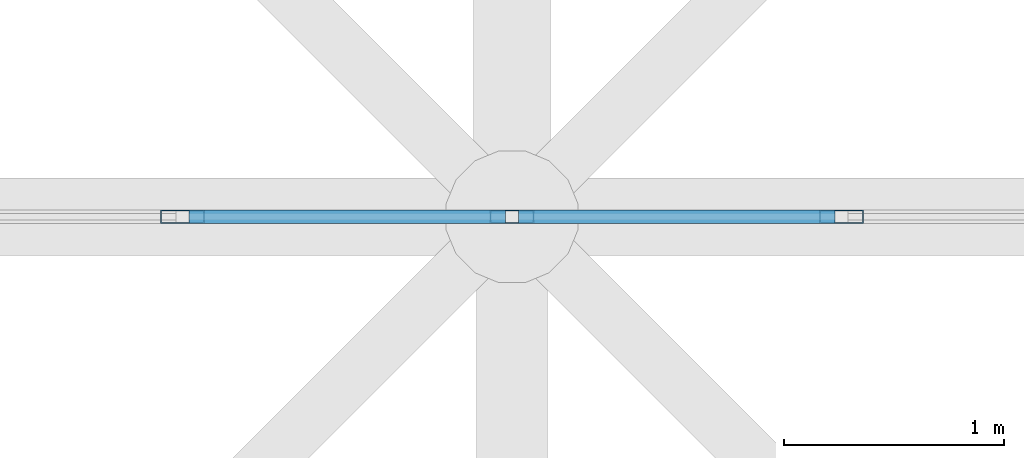
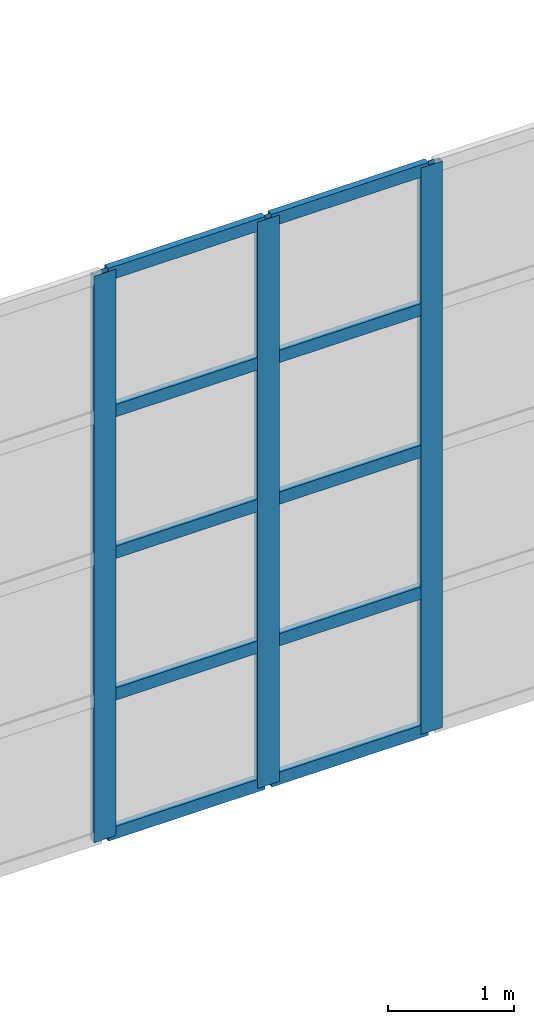
# One storey, part 172 of 437: 13 members, 1 element without a shape of its own.
"""IFC4 building model written with IfcOpenShell, lengths in metres."""

import ifcopenshell
import ifcopenshell.guid

model = None  # the IFC model being written
_history = None  # IfcOwnerHistory: only IFC2X3 demands one
_inside = {}  # id of a spatial element -> (the spatial element, [elements in it])
_under = {}  # id of a project, library or spatial element -> (it, [spatial elements below it])
_declared = {}  # id of a project -> (the project, [libraries it declares])
_typed = {}  # id of a type object -> (the type object, [elements of that type])
_made_of = {}  # id of a material, layer set ... -> (it, [elements and type objects made of it])


def new_model(schema):
    """Start an empty IFC model of exactly this schema.

    Asked for "IFC4X3", IfcOpenShell would pick the latest addendum, in which some entities
    have other attributes; the version numbers below select the first issue.
    IFC2X3 requires an IfcOwnerHistory on every rooted entity: one is made here for all.
    """
    global model, _history
    if schema == "IFC4X3":
        model = ifcopenshell.file(schema_version=(4, 3, 0, 0))
    else:
        model = ifcopenshell.file(schema=schema)
    _inside.clear()
    _under.clear()
    _declared.clear()
    _typed.clear()
    _made_of.clear()
    _history = None
    if model.schema == "IFC2X3":
        org = make("IfcOrganization", Name="unknown")
        user = make(
            "IfcPersonAndOrganization",
            ThePerson=make("IfcPerson", FamilyName="unknown"),
            TheOrganization=org,
        )
        app = make(
            "IfcApplication",
            ApplicationDeveloper=org,
            Version="unknown",
            ApplicationFullName="unknown",
            ApplicationIdentifier="unknown",
        )
        _history = make(
            "IfcOwnerHistory",
            OwningUser=user,
            OwningApplication=app,
            ChangeAction="ADDED",
            CreationDate=0,
        )
    return model


def make(cls, **values):
    """One entity of the class cls with the attributes given. An attribute that is None is left unset."""
    return model.create_entity(
        cls, **{name: value for name, value in values.items() if value is not None}
    )


def rooted(cls, **values):
    """An entity with a GlobalId (a new one), such as an element, a storey or a relation."""
    return make(cls, GlobalId=ifcopenshell.guid.new(), OwnerHistory=_history, **values)


def si_unit(unit_type, name, prefix=None):
    """IfcSIUnit, for example si_unit("LENGTHUNIT", "METRE", prefix="MILLI")."""
    return make("IfcSIUnit", UnitType=unit_type, Prefix=prefix, Name=name)


def assignment(units):
    """IfcUnitAssignment: the units of a project."""
    return None if units is None else make("IfcUnitAssignment", Units=units)


def point(xyz):
    """IfcCartesianPoint."""
    return None if xyz is None else make("IfcCartesianPoint", Coordinates=xyz)


def direction(xyz):
    """IfcDirection."""
    return None if xyz is None else make("IfcDirection", DirectionRatios=xyz)


def frame(location, z_axis=None, x_axis=None):
    """IfcAxis2Placement3D, a coordinate frame: its origin and axes. An axis left out is left unset."""
    return make(
        "IfcAxis2Placement3D",
        Location=point(location),
        Axis=direction(z_axis),
        RefDirection=direction(x_axis),
    )


def frame_2d(location, x_axis=None):
    """IfcAxis2Placement2D, a coordinate frame in the plane: its origin and x axis."""
    return make(
        "IfcAxis2Placement2D", Location=point(location), RefDirection=direction(x_axis)
    )


def origin():
    """The frame at (0, 0, 0) with its axes left unset."""
    return frame((0.0, 0.0, 0.0))


def origin_2d():
    """The frame at (0, 0) in the plane with its x axis left unset."""
    return frame_2d((0.0, 0.0))


def place(relative_to, where):
    """IfcLocalPlacement: puts the frame where relative to a parent placement (None: the world)."""
    return make(
        "IfcLocalPlacement", PlacementRelTo=relative_to, RelativePlacement=where
    )


def context(
    kind, dimensions, precision=None, world=None, true_north=None, identifier=None
):
    """IfcGeometricRepresentationContext, for example the 3D "Model" context."""
    return make(
        "IfcGeometricRepresentationContext",
        ContextIdentifier=identifier,
        ContextType=kind,
        CoordinateSpaceDimension=dimensions,
        Precision=precision,
        WorldCoordinateSystem=world,
        TrueNorth=true_north,
    )


def subcontext(parent, identifier, kind, view, scale=None):
    """IfcGeometricRepresentationSubContext, for example "Body" below "Model"."""
    return make(
        "IfcGeometricRepresentationSubContext",
        ContextIdentifier=identifier,
        ContextType=kind,
        ParentContext=parent,
        TargetScale=scale,
        TargetView=view,
    )


def project(units=None, contexts=None):
    """IfcProject with its units and contexts."""
    return rooted(
        "IfcProject",
        Name="project",
        RepresentationContexts=contexts,
        UnitsInContext=assignment(units),
    )


def spatial(cls, under=None, at=None, **own):
    """A site, building, storey or space (cls), placed at a placement, below another one or the project."""
    s = rooted(cls, ObjectPlacement=at, **own)
    if under is not None:
        _under.setdefault(under.id(), (under, []))[1].append(s)
    return s


def profile(cls, at=None, kind="AREA", **sizes):
    """A parametric profile (cls). Its sizes go by their IFC names, for example OverallWidth=200.0."""
    return make(cls, ProfileType=kind, Position=at, **sizes)


def hollow_rectangle(**sizes):
    """IfcRectangleHollowProfileDef."""
    return profile("IfcRectangleHollowProfileDef", **sizes)


def extrude(swept, where, along, depth):
    """IfcExtrudedAreaSolid: the profile swept, set in the frame where, extruded along a direction by depth."""
    return make(
        "IfcExtrudedAreaSolid",
        SweptArea=swept,
        Position=where,
        ExtrudedDirection=direction(along),
        Depth=depth,
    )


def shape(context_of_items, identifier, shape_type, items):
    """IfcShapeRepresentation: the items that make up one representation, for example the "Body"."""
    return make(
        "IfcShapeRepresentation",
        ContextOfItems=context_of_items,
        RepresentationIdentifier=identifier,
        RepresentationType=shape_type,
        Items=items,
    )


def material(Name=None, Category=None):
    """IfcMaterial."""
    return make("IfcMaterial", Name=Name, Category=Category)


def layer(
    of_material, thickness, ventilated=None, Name=None, Category=None, Priority=None
):
    """IfcMaterialLayer: one layer of a wall or slab, of a material (None: an air gap)."""
    return make(
        "IfcMaterialLayer",
        Material=of_material,
        LayerThickness=thickness,
        IsVentilated=ventilated,
        Name=Name,
        Category=Category,
        Priority=Priority,
    )


def layer_set(layers, Name=None):
    """IfcMaterialLayerSet."""
    return make("IfcMaterialLayerSet", MaterialLayers=layers, LayerSetName=Name)


def material_profile(
    of_material, cross_section, Name=None, Category=None, Priority=None
):
    """IfcMaterialProfile: a cross section and its material."""
    return make(
        "IfcMaterialProfile",
        Name=Name,
        Material=of_material,
        Profile=cross_section,
        Priority=Priority,
        Category=Category,
    )


def profile_set(profiles, Name=None, composite=None):
    """IfcMaterialProfileSet."""
    return make(
        "IfcMaterialProfileSet",
        Name=Name,
        MaterialProfiles=profiles,
        CompositeProfile=composite,
    )


def made_of(thing, what):
    """Note that an element or type object is made of a material, layer set ...; save() writes the relation."""
    if what is not None:
        _made_of.setdefault(what.id(), (what, []))[1].append(thing)
    return thing


def type_object(cls, material=None, **own):
    """A type object (cls), such as IfcWallType, which elements share."""
    return made_of(rooted(cls, **own), material)


def element(
    cls,
    number,
    at=None,
    inside=None,
    cuts=None,
    type_object=None,
    material=None,
    context=None,
    identifier="Body",
    shape_type=None,
    held_by="IfcProductDefinitionShape",
    body=None,
    shapes=None,
    **own,
):
    """One element of the class cls, such as IfcWall. Its Tag is "e" and its number.

    at: its placement. inside: the storey or other place that contains it. cuts: it is an
    opening in that element (IfcRelVoidsElement). A single representation is given by context,
    identifier, shape_type and body (its items); several are given by shapes. held_by: the class
    of the entity that holds the representations. save() writes the other relations.
    """
    e = rooted(cls, Tag="e%d" % number, ObjectPlacement=at, **own)
    if body is not None:
        shapes = [shape(context, identifier, shape_type, body)]
    if shapes is not None:
        e.Representation = make(held_by, Representations=shapes)
    if inside is not None:
        _inside.setdefault(inside.id(), (inside, []))[1].append(e)
    if cuts is not None:
        rooted(
            "IfcRelVoidsElement", RelatingBuildingElement=cuts, RelatedOpeningElement=e
        )
    if type_object is not None:
        _typed.setdefault(type_object.id(), (type_object, []))[1].append(e)
    return made_of(e, material)


def aggregate(whole, parts):
    """IfcRelAggregates: a whole, such as a stair, and the parts it consists of."""
    return rooted("IfcRelAggregates", RelatingObject=whole, RelatedObjects=parts)


def save(model, path):
    """Write the relations noted so far, then the file.

    IfcRelAggregates (storeys below a building ...), IfcRelContainedInSpatialStructure (elements
    in a storey), IfcRelDefinesByType, IfcRelAssociatesMaterial and IfcRelDeclares: one each for
    every whole, place, type object, material and project.
    """
    for whole, parts in _under.values():
        aggregate(whole, parts)
    for where, things in _inside.values():
        rooted(
            "IfcRelContainedInSpatialStructure",
            RelatedElements=things,
            RelatingStructure=where,
        )
    for kind, things in _typed.values():
        rooted("IfcRelDefinesByType", RelatedObjects=things, RelatingType=kind)
    for what, things in _made_of.values():
        rooted("IfcRelAssociatesMaterial", RelatedObjects=things, RelatingMaterial=what)
    for by, libraries in _declared.values():
        rooted("IfcRelDeclares", RelatingContext=by, RelatedDefinitions=libraries)
    model.write(path)


model = new_model("IFC4")

# Units and contexts
model_context = context("Model", 3, precision=1e-05, world=origin(), true_north=direction((0.0, 1.0)))
body_context = subcontext(model_context, "Body", "Model", "MODEL_VIEW")
ifc_project = project(units=[si_unit("LENGTHUNIT", "METRE"), si_unit("AREAUNIT", "SQUARE_METRE"), si_unit("VOLUMEUNIT", "CUBIC_METRE"), si_unit("PLANEANGLEUNIT", "RADIAN"), si_unit("MASSUNIT", "GRAM", prefix="KILO")], contexts=[model_context])

# Site, building, storey
site_placement = place(None, origin())
site = spatial("IfcSite", under=ifc_project, at=site_placement, CompositionType="ELEMENT")
building_placement = place(site_placement, origin())
building = spatial("IfcBuilding", under=site, at=building_placement, Name="Opaline Strait Convention Centre", CompositionType="ELEMENT")
storey_placement = place(building_placement, frame((0.0, 0.0, 11.5)))
storey = spatial("IfcBuildingStorey", under=building, at=storey_placement, Name="L02", CompositionType="ELEMENT", Elevation=11.5)

# Curtain wall, members
ifc_material_1 = material(Name="Aluminium framed glazing", Category="aluminium")
ifc_layer = layer(ifc_material_1, 0.199951171875)
ifc_layer_set = layer_set([ifc_layer], Name="Aluminium framed glazing")
curtain_wall_type = type_object("IfcCurtainWallType", Name="Entrance curtain wall 1500", PredefinedType="NOTDEFINED", material=ifc_layer_set)
curtain_wall_placement = place(storey_placement, origin())
curtain_wall = element("IfcCurtainWall", 1, at=curtain_wall_placement, inside=storey, type_object=curtain_wall_type, Name="Entrance curtain wall L02-R2", PredefinedType="NOTDEFINED")
ifc_material_2 = material(Name="Aluminium alloy 6063", Category="aluminium")
ifc_material_profile_1 = material_profile(ifc_material_2, hollow_rectangle(XDim=0.06005859375, YDim=0.199951171875, WallThickness=0.00390625, at=origin_2d()), Name="MULLION 60x200x4")
ifc_profile_set_1 = profile_set([ifc_material_profile_1], Name="Aluminium alloy 6063")
member_type_1 = type_object("IfcMemberType", Name="Curtain wall mullion 60 x 200", PredefinedType="MULLION", material=ifc_profile_set_1)
member_1_placement = place(storey_placement, frame((178.5, 144.0, 0.0), z_axis=(0.0, 0.0, 1.0), x_axis=(0.0, 1.0, 0.0)))
member_1 = element("IfcMember", 2, at=member_1_placement, type_object=member_type_1, Name="XCW mullion 6", PredefinedType="MULLION", context=body_context, shape_type="SweptSolid", body=[
    extrude(hollow_rectangle(XDim=0.06005859375, YDim=0.199951171875, WallThickness=0.00390625, at=origin_2d()), origin(), (0.0, 0.0, 1.0), 5.5),
])
member_2_placement = place(storey_placement, frame((180.0, 144.0, 0.0), z_axis=(0.0, 0.0, 1.0), x_axis=(0.0, 1.0, 0.0)))
member_2 = element("IfcMember", 3, at=member_2_placement, type_object=member_type_1, Name="XCW mullion 7", PredefinedType="MULLION", context=body_context, shape_type="SweptSolid", body=[
    extrude(hollow_rectangle(XDim=0.06005859375, YDim=0.199951171875, WallThickness=0.00390625, at=origin_2d()), origin(), (0.0, 0.0, 1.0), 5.5),
])
member_3_placement = place(storey_placement, frame((181.5, 144.0, 0.0), z_axis=(0.0, 0.0, 1.0), x_axis=(0.0, 1.0, 0.0)))
member_3 = element("IfcMember", 4, at=member_3_placement, type_object=member_type_1, Name="XCW mullion 8", PredefinedType="MULLION", context=body_context, shape_type="SweptSolid", body=[
    extrude(hollow_rectangle(XDim=0.06005859375, YDim=0.199951171875, WallThickness=0.00390625, at=origin_2d()), origin(), (0.0, 0.0, 1.0), 5.5),
])
ifc_material_profile_2 = material_profile(ifc_material_2, hollow_rectangle(XDim=0.06005859375, YDim=0.1201171875, WallThickness=0.0029296875, at=origin_2d()), Name="TRANSOM 60x120x3")
ifc_profile_set_2 = profile_set([ifc_material_profile_2], Name="Aluminium alloy 6063")
member_type_2 = type_object("IfcMemberType", Name="Curtain wall transom 60 x 120", PredefinedType="USERDEFINED", material=ifc_profile_set_2)
member_4_placement = place(storey_placement, frame((178.530029296875, 144.0, 0.030029296875), z_axis=(1.0, 0.0, 0.0), x_axis=(0.0, 1.0, 0.0)))
member_4 = element("IfcMember", 5, at=member_4_placement, type_object=member_type_2, Name="XCW transom 6.1", ObjectType="TRANSOM", PredefinedType="USERDEFINED", context=body_context, shape_type="SweptSolid", body=[
    extrude(hollow_rectangle(XDim=0.06005859375, YDim=0.1201171875, WallThickness=0.0029296875, at=origin_2d()), origin(), (0.0, 0.0, 1.0), 1.43994140625),
])
member_5_placement = place(storey_placement, frame((178.530029296875, 144.0, 1.375), z_axis=(1.0, 0.0, 0.0), x_axis=(0.0, 1.0, 0.0)))
member_5 = element("IfcMember", 6, at=member_5_placement, type_object=member_type_2, Name="XCW transom 6.2", ObjectType="TRANSOM", PredefinedType="USERDEFINED", context=body_context, shape_type="SweptSolid", body=[
    extrude(hollow_rectangle(XDim=0.06005859375, YDim=0.1201171875, WallThickness=0.0029296875, at=origin_2d()), origin(), (0.0, 0.0, 1.0), 1.43994140625),
])
member_6_placement = place(storey_placement, frame((178.530029296875, 144.0, 2.75), z_axis=(1.0, 0.0, 0.0), x_axis=(0.0, 1.0, 0.0)))
member_6 = element("IfcMember", 7, at=member_6_placement, type_object=member_type_2, Name="XCW transom 6.3", ObjectType="TRANSOM", PredefinedType="USERDEFINED", context=body_context, shape_type="SweptSolid", body=[
    extrude(hollow_rectangle(XDim=0.06005859375, YDim=0.1201171875, WallThickness=0.0029296875, at=origin_2d()), origin(), (0.0, 0.0, 1.0), 1.43994140625),
])
member_7_placement = place(storey_placement, frame((178.530029296875, 144.0, 4.125), z_axis=(1.0, 0.0, 0.0), x_axis=(0.0, 1.0, 0.0)))
member_7 = element("IfcMember", 8, at=member_7_placement, type_object=member_type_2, Name="XCW transom 6.4", ObjectType="TRANSOM", PredefinedType="USERDEFINED", context=body_context, shape_type="SweptSolid", body=[
    extrude(hollow_rectangle(XDim=0.06005859375, YDim=0.1201171875, WallThickness=0.0029296875, at=origin_2d()), origin(), (0.0, 0.0, 1.0), 1.43994140625),
])
member_8_placement = place(storey_placement, frame((178.530029296875, 144.0, 5.469970703125), z_axis=(1.0, 0.0, 0.0), x_axis=(0.0, 1.0, 0.0)))
member_8 = element("IfcMember", 9, at=member_8_placement, type_object=member_type_2, Name="XCW transom 6.5", ObjectType="TRANSOM", PredefinedType="USERDEFINED", context=body_context, shape_type="SweptSolid", body=[
    extrude(hollow_rectangle(XDim=0.06005859375, YDim=0.1201171875, WallThickness=0.0029296875, at=origin_2d()), origin(), (0.0, 0.0, 1.0), 1.43994140625),
])
member_9_placement = place(storey_placement, frame((180.030029296875, 144.0, 0.030029296875), z_axis=(1.0, 0.0, 0.0), x_axis=(0.0, 1.0, 0.0)))
member_9 = element("IfcMember", 10, at=member_9_placement, type_object=member_type_2, Name="XCW transom 7.1", ObjectType="TRANSOM", PredefinedType="USERDEFINED", context=body_context, shape_type="SweptSolid", body=[
    extrude(hollow_rectangle(XDim=0.06005859375, YDim=0.1201171875, WallThickness=0.0029296875, at=origin_2d()), origin(), (0.0, 0.0, 1.0), 1.43994140625),
])
member_10_placement = place(storey_placement, frame((180.030029296875, 144.0, 1.375), z_axis=(1.0, 0.0, 0.0), x_axis=(0.0, 1.0, 0.0)))
member_10 = element("IfcMember", 11, at=member_10_placement, type_object=member_type_2, Name="XCW transom 7.2", ObjectType="TRANSOM", PredefinedType="USERDEFINED", context=body_context, shape_type="SweptSolid", body=[
    extrude(hollow_rectangle(XDim=0.06005859375, YDim=0.1201171875, WallThickness=0.0029296875, at=origin_2d()), origin(), (0.0, 0.0, 1.0), 1.43994140625),
])
member_11_placement = place(storey_placement, frame((180.030029296875, 144.0, 2.75), z_axis=(1.0, 0.0, 0.0), x_axis=(0.0, 1.0, 0.0)))
member_11 = element("IfcMember", 12, at=member_11_placement, type_object=member_type_2, Name="XCW transom 7.3", ObjectType="TRANSOM", PredefinedType="USERDEFINED", context=body_context, shape_type="SweptSolid", body=[
    extrude(hollow_rectangle(XDim=0.06005859375, YDim=0.1201171875, WallThickness=0.0029296875, at=origin_2d()), origin(), (0.0, 0.0, 1.0), 1.43994140625),
])
member_12_placement = place(storey_placement, frame((180.030029296875, 144.0, 4.125), z_axis=(1.0, 0.0, 0.0), x_axis=(0.0, 1.0, 0.0)))
member_12 = element("IfcMember", 13, at=member_12_placement, type_object=member_type_2, Name="XCW transom 7.4", ObjectType="TRANSOM", PredefinedType="USERDEFINED", context=body_context, shape_type="SweptSolid", body=[
    extrude(hollow_rectangle(XDim=0.06005859375, YDim=0.1201171875, WallThickness=0.0029296875, at=origin_2d()), origin(), (0.0, 0.0, 1.0), 1.43994140625),
])
member_13_placement = place(storey_placement, frame((180.030029296875, 144.0, 5.469970703125), z_axis=(1.0, 0.0, 0.0), x_axis=(0.0, 1.0, 0.0)))
member_13 = element("IfcMember", 14, at=member_13_placement, type_object=member_type_2, Name="XCW transom 7.5", ObjectType="TRANSOM", PredefinedType="USERDEFINED", context=body_context, shape_type="SweptSolid", body=[
    extrude(hollow_rectangle(XDim=0.06005859375, YDim=0.1201171875, WallThickness=0.0029296875, at=origin_2d()), origin(), (0.0, 0.0, 1.0), 1.43994140625),
])
aggregate(curtain_wall, [member_1, member_2, member_3, member_4, member_5, member_6, member_7, member_8, member_9, member_10, member_11, member_12, member_13])

save(model, "model.ifc")
